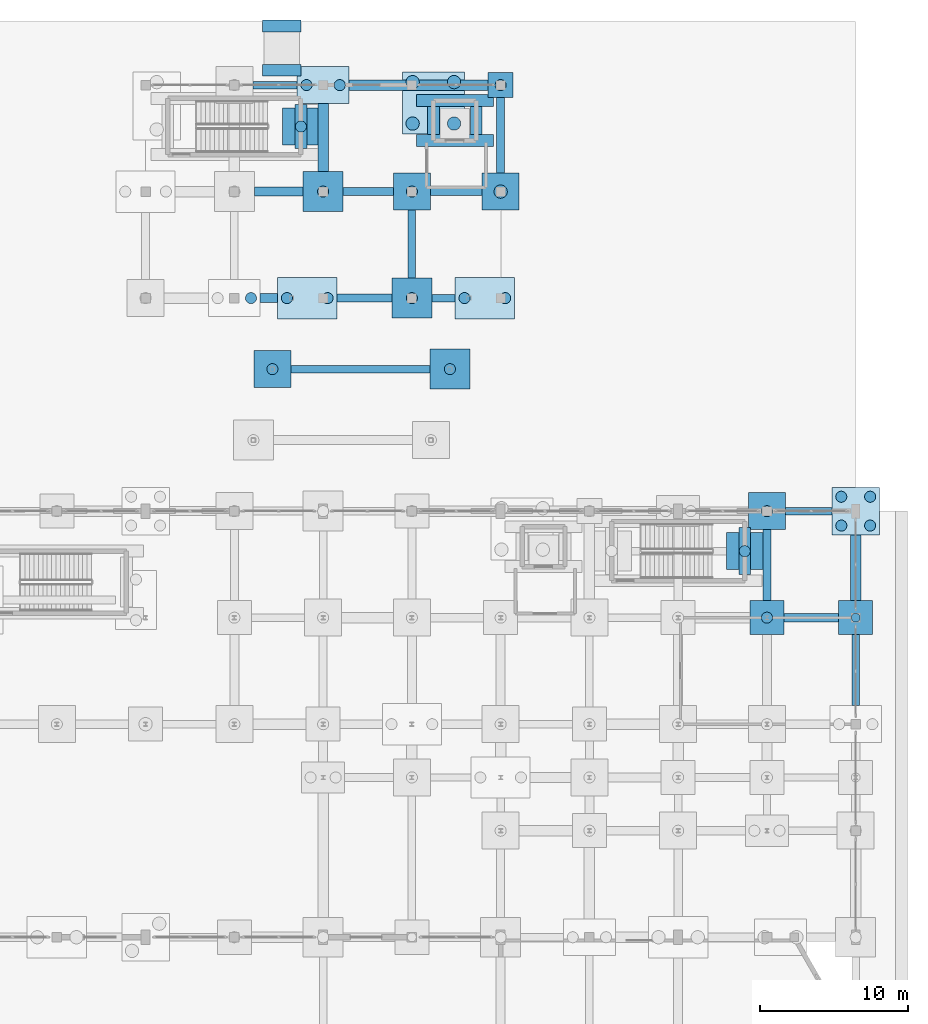
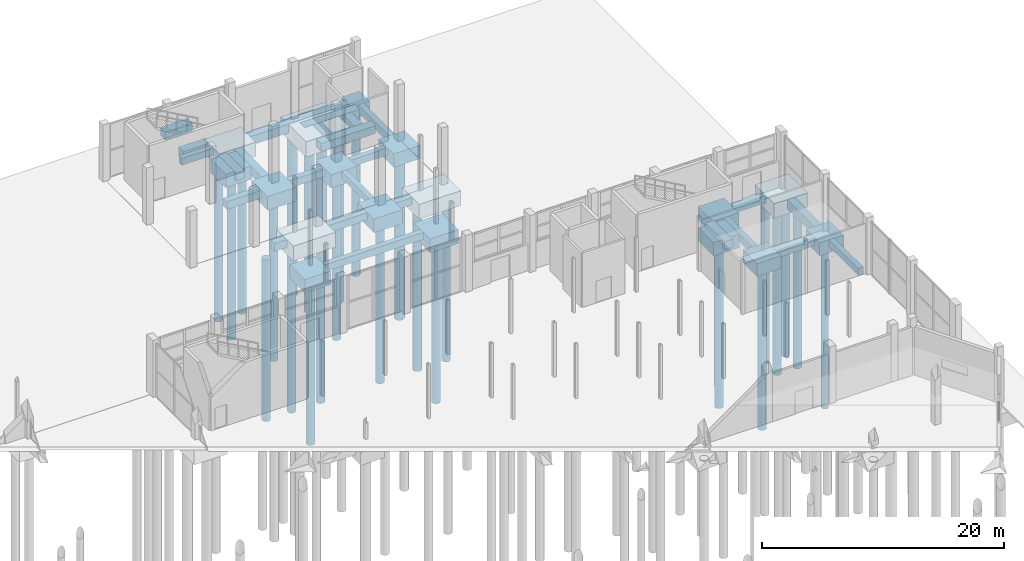
# One storey, part 13 of 103: 42 footings, 27 piles.
"""IFC4 building model written with IfcOpenShell, lengths in metres."""

from ifc_helpers import new_model, si_unit, direction, frame, origin, origin_2d, place, context, subcontext, project, spatial, rectangle, circle, extrude, material, material_profile, profile_set, type_object, element, save


model = new_model("IFC4")

# Units and contexts
model_context = context("Model", 3, precision=1e-05, world=origin(), true_north=direction((0.0, 1.0)))
body_context = subcontext(model_context, "Body", "Model", "MODEL_VIEW")
ifc_project = project(units=[si_unit("LENGTHUNIT", "METRE"), si_unit("AREAUNIT", "SQUARE_METRE"), si_unit("VOLUMEUNIT", "CUBIC_METRE"), si_unit("PLANEANGLEUNIT", "RADIAN"), si_unit("MASSUNIT", "GRAM", prefix="KILO")], contexts=[model_context])

# Site, building, storey
site_placement = place(None, origin())
site = spatial("IfcSite", under=ifc_project, at=site_placement, CompositionType="ELEMENT")
building_placement = place(site_placement, origin())
building = spatial("IfcBuilding", under=site, at=building_placement, Name="Dunvalen Ferry Terminal", CompositionType="ELEMENT")
storey_placement = place(building_placement, origin())
storey = spatial("IfcBuildingStorey", under=building, at=storey_placement, Name="L00", CompositionType="ELEMENT", Elevation=0.0)

# Footings
ifc_material = material(Name="Concrete C40/50", Category="concrete")
ifc_material_profile_1 = material_profile(ifc_material, rectangle(XDim=0.5, YDim=0.699951171875, at=origin_2d()), Name="Concrete C40/50")
ifc_profile_set_1 = profile_set([ifc_material_profile_1], Name="Concrete C40/50")
footing_type_1 = type_object("IfcFootingType", Name="STR-GB-500x700", PredefinedType="FOOTING_BEAM", material=ifc_profile_set_1)
footing_1_placement = place(storey_placement, frame((163.25, 86.39990234375, -0.669921875), z_axis=(1.0, 0.0, 0.0), x_axis=(0.0, 1.0, 0.0)))
element("IfcFooting", 1, at=footing_1_placement, inside=storey, type_object=footing_type_1, Name="L00 Ground Beam X-331", PredefinedType="FOOTING_BEAM", context=body_context, shape_type="SweptSolid", body=[
    extrude(rectangle(XDim=0.5, YDim=0.699951171875, at=origin_2d()), origin(), (0.0, 0.0, 1.0), 3.14990234375),
])
footing_2_placement = place(storey_placement, frame((129.822265625, 96.0, -0.669921875), z_axis=(1.0, 0.0, 0.0), x_axis=(0.0, 1.0, 0.0)))
element("IfcFooting", 2, at=footing_2_placement, inside=storey, type_object=footing_type_1, Name="L00 Ground Beam X-335", PredefinedType="FOOTING_BEAM", context=body_context, shape_type="SweptSolid", body=[
    extrude(rectangle(XDim=0.5, YDim=0.699951171875, at=origin_2d()), origin(), (0.0, 0.0, 1.0), 9.400146484375),
])
footing_3_placement = place(storey_placement, frame((139.35009765625, 100.800048828125, -0.669921875), z_axis=(1.0, 0.0, 0.0), x_axis=(0.0, 1.0, 0.0)))
element("IfcFooting", 3, at=footing_3_placement, inside=storey, type_object=footing_type_1, Name="L00 Ground Beam X-343", PredefinedType="FOOTING_BEAM", context=body_context, shape_type="SweptSolid", body=[
    extrude(rectangle(XDim=0.5, YDim=0.699951171875, at=origin_2d()), origin(), (0.0, 0.0, 1.0), 1.5791015625),
])
footing_4_placement = place(storey_placement, frame((139.25, 108.0, -0.669921875), z_axis=(1.0, 0.0, 0.0), x_axis=(0.0, 1.0, 0.0)))
element("IfcFooting", 4, at=footing_4_placement, inside=storey, type_object=footing_type_1, Name="L00 Ground Beam X-351", PredefinedType="FOOTING_BEAM", context=body_context, shape_type="SweptSolid", body=[
    extrude(rectangle(XDim=0.5, YDim=0.699951171875, at=origin_2d()), origin(), (0.0, 0.0, 1.0), 3.5),
])
footing_5_placement = place(storey_placement, frame((127.25, 115.199951171875, -0.669921875), z_axis=(1.0, 0.0, 0.0), x_axis=(0.0, 1.0, 0.0)))
element("IfcFooting", 5, at=footing_5_placement, inside=storey, type_object=footing_type_1, Name="L00 Ground Beam X-355", PredefinedType="FOOTING_BEAM", context=body_context, shape_type="SweptSolid", body=[
    extrude(rectangle(XDim=0.5, YDim=0.699951171875, at=origin_2d()), origin(), (0.0, 0.0, 1.0), 3.0),
])
footing_6_placement = place(storey_placement, frame((138.0, 102.14990234375, -0.669921875), z_axis=(0.0, 1.0, 0.0), x_axis=(-1.0, 0.0, 0.0)))
element("IfcFooting", 6, at=footing_6_placement, inside=storey, type_object=footing_type_1, Name="L00 Ground Beam Y-499", PredefinedType="FOOTING_BEAM", context=body_context, shape_type="SweptSolid", body=[
    extrude(rectangle(XDim=0.5, YDim=0.699951171875, at=origin_2d()), origin(), (0.0, 0.0, 1.0), 4.60009765625),
])
footing_7_placement = place(storey_placement, frame((168.0, 73.25, -0.669921875), z_axis=(0.0, 1.0, 0.0), x_axis=(-1.0, 0.0, 0.0)))
element("IfcFooting", 7, at=footing_7_placement, inside=storey, type_object=footing_type_1, Name="L00 Ground Beam Y-539", PredefinedType="FOOTING_BEAM", context=body_context, shape_type="SweptSolid", body=[
    extrude(rectangle(XDim=0.5, YDim=0.699951171875, at=origin_2d()), origin(), (0.0, 0.0, 1.0), 4.800048828125),
])
ifc_material_profile_2 = material_profile(ifc_material, rectangle(XDim=0.550048828125, YDim=0.75, at=origin_2d()), Name="Concrete C40/50")
ifc_profile_set_2 = profile_set([ifc_material_profile_2], Name="Concrete C40/50")
footing_type_2 = type_object("IfcFootingType", Name="STR-GB-550x750", PredefinedType="FOOTING_BEAM", material=ifc_profile_set_2)
footing_8_placement = place(storey_placement, frame((132.92919921875, 100.800048828125, -0.695068359375), z_axis=(1.0, 0.0, 0.0), x_axis=(0.0, 1.0, 0.0)))
element("IfcFooting", 8, at=footing_8_placement, inside=storey, type_object=footing_type_2, Name="L00 Ground Beam X-342", PredefinedType="FOOTING_BEAM", context=body_context, shape_type="SweptSolid", body=[
    extrude(rectangle(XDim=0.550048828125, YDim=0.75, at=origin_2d()), origin(), (0.0, 0.0, 1.0), 3.720703125),
])
footing_9_placement = place(storey_placement, frame((133.35009765625, 108.0, -0.695068359375), z_axis=(1.0, 0.0, 0.0), x_axis=(0.0, 1.0, 0.0)))
element("IfcFooting", 9, at=footing_9_placement, inside=storey, type_object=footing_type_2, Name="L00 Ground Beam X-350", PredefinedType="FOOTING_BEAM", context=body_context, shape_type="SweptSolid", body=[
    extrude(rectangle(XDim=0.550048828125, YDim=0.75, at=origin_2d()), origin(), (0.0, 0.0, 1.0), 3.39990234375),
])
footing_10_placement = place(storey_placement, frame((144.0, 109.25, -0.695068359375), z_axis=(0.0, 1.0, 0.0), x_axis=(-1.0, 0.0, 0.0)))
element("IfcFooting", 10, at=footing_10_placement, inside=storey, type_object=footing_type_2, Name="L00 Ground Beam Y-510", PredefinedType="FOOTING_BEAM", context=body_context, shape_type="SweptSolid", body=[
    extrude(rectangle(XDim=0.550048828125, YDim=0.75, at=origin_2d()), origin(), (0.0, 0.0, 1.0), 5.10009765625),
])
footing_11_placement = place(storey_placement, frame((162.0, 80.35009765625, -0.695068359375), z_axis=(0.0, 1.0, 0.0), x_axis=(-1.0, 0.0, 0.0)))
element("IfcFooting", 11, at=footing_11_placement, inside=storey, type_object=footing_type_2, Name="L00 Ground Beam Y-534", PredefinedType="FOOTING_BEAM", context=body_context, shape_type="SweptSolid", body=[
    extrude(rectangle(XDim=0.550048828125, YDim=0.75, at=origin_2d()), origin(), (0.0, 0.0, 1.0), 4.7998046875),
])
ifc_material_profile_3 = material_profile(ifc_material, rectangle(XDim=0.60009765625, YDim=0.800048828125, at=origin_2d()), Name="Concrete C40/50")
ifc_profile_set_3 = profile_set([ifc_material_profile_3], Name="Concrete C40/50")
footing_type_3 = type_object("IfcFootingType", Name="STR-GB-600x800", PredefinedType="FOOTING_BEAM", material=ifc_profile_set_3)
footing_12_placement = place(storey_placement, frame((163.14990234375, 79.199951171875, -0.719970703125), z_axis=(1.0, 0.0, 0.0), x_axis=(0.0, 1.0, 0.0)))
element("IfcFooting", 12, at=footing_12_placement, inside=storey, type_object=footing_type_3, Name="L00 Ground Beam X-309", PredefinedType="FOOTING_BEAM", context=body_context, shape_type="SweptSolid", body=[
    extrude(rectangle(XDim=0.60009765625, YDim=0.800048828125, at=origin_2d()), origin(), (0.0, 0.0, 1.0), 3.7001953125),
])
footing_13_placement = place(storey_placement, frame((127.75, 100.800048828125, -0.719970703125), z_axis=(1.0, 0.0, 0.0), x_axis=(0.0, 1.0, 0.0)))
element("IfcFooting", 13, at=footing_13_placement, inside=storey, type_object=footing_type_3, Name="L00 Ground Beam X-341", PredefinedType="FOOTING_BEAM", context=body_context, shape_type="SweptSolid", body=[
    extrude(rectangle(XDim=0.60009765625, YDim=0.800048828125, at=origin_2d()), origin(), (0.0, 0.0, 1.0), 1.17919921875),
])
footing_14_placement = place(storey_placement, frame((127.35009765625, 108.0, -0.719970703125), z_axis=(1.0, 0.0, 0.0), x_axis=(0.0, 1.0, 0.0)))
element("IfcFooting", 14, at=footing_14_placement, inside=storey, type_object=footing_type_3, Name="L00 Ground Beam X-349", PredefinedType="FOOTING_BEAM", context=body_context, shape_type="SweptSolid", body=[
    extrude(rectangle(XDim=0.60009765625, YDim=0.800048828125, at=origin_2d()), origin(), (0.0, 0.0, 1.0), 3.2998046875),
])
ifc_material_profile_4 = material_profile(ifc_material, rectangle(XDim=0.699951171875, YDim=0.89990234375, at=origin_2d()), Name="Concrete C40/50")
ifc_profile_set_4 = profile_set([ifc_material_profile_4], Name="Concrete C40/50")
footing_type_4 = type_object("IfcFootingType", Name="STR-GB-700x900", PredefinedType="FOOTING_BEAM", material=ifc_profile_set_4)
footing_15_placement = place(storey_placement, frame((133.75, 115.199951171875, -0.77001953125), z_axis=(1.0, 0.0, 0.0), x_axis=(0.0, 1.0, 0.0)))
element("IfcFooting", 15, at=footing_15_placement, inside=storey, type_object=footing_type_4, Name="L00 Ground Beam X-356", PredefinedType="FOOTING_BEAM", context=body_context, shape_type="SweptSolid", body=[
    extrude(rectangle(XDim=0.699951171875, YDim=0.89990234375, at=origin_2d()), origin(), (0.0, 0.0, 1.0), 9.39990234375),
])
footing_16_placement = place(storey_placement, frame((132.0, 109.35009765625, -0.77001953125), z_axis=(0.0, 1.0, 0.0), x_axis=(-1.0, 0.0, 0.0)))
element("IfcFooting", 16, at=footing_16_placement, inside=storey, type_object=footing_type_4, Name="L00 Ground Beam Y-488", PredefinedType="FOOTING_BEAM", context=body_context, shape_type="SweptSolid", body=[
    extrude(rectangle(XDim=0.699951171875, YDim=0.89990234375, at=origin_2d()), origin(), (0.0, 0.0, 1.0), 4.599853515625),
])
footing_17_placement = place(storey_placement, frame((168.0, 80.35009765625, -0.77001953125), z_axis=(0.0, 1.0, 0.0), x_axis=(-1.0, 0.0, 0.0)))
element("IfcFooting", 17, at=footing_17_placement, inside=storey, type_object=footing_type_4, Name="L00 Ground Beam Y-540", PredefinedType="FOOTING_BEAM", context=body_context, shape_type="SweptSolid", body=[
    extrude(rectangle(XDim=0.699951171875, YDim=0.89990234375, at=origin_2d()), origin(), (0.0, 0.0, 1.0), 4.449951171875),
])
footing_type_5 = type_object("IfcFootingType", Name="STR-PC-01", PredefinedType="PILE_CAP", material=ifc_material)
footing_18_placement = place(storey_placement, frame((144.0, 115.199951171875, -1.52001953125), z_axis=(0.0, 0.0, 1.0), x_axis=(1.0, 0.0, 0.0)))
element("IfcFooting", 18, at=footing_18_placement, inside=storey, type_object=footing_type_5, Name="L00 Pile Cap 237", PredefinedType="PILE_CAP", context=body_context, shape_type="SweptSolid", body=[
    extrude(rectangle(XDim=1.699951171875, YDim=1.699951171875, at=origin_2d()), origin(), (0.0, 0.0, 1.0), 1.199951171875),
])
footing_type_6 = type_object("IfcFootingType", Name="STR-PC-04", PredefinedType="PILE_CAP", material=ifc_material)
for number, where, z_axis, x_axis, name in (
    (19, (162.0, 79.199951171875, -1.6201171875), (0.0, 0.0, 1.0), (1.0, 0.0, 0.0), "L00 Pile Cap 279"),
    (20, (168.0, 79.199951171875, -1.6201171875), (0.0, 0.0, 1.0), (1.0, 0.0, 0.0), "L00 Pile Cap 287"),
):
    element("IfcFooting", number, at=place(storey_placement, frame(where, z_axis=z_axis, x_axis=x_axis)), inside=storey, type_object=footing_type_6, Name=name, PredefinedType="PILE_CAP", context=body_context, shape_type="SweptSolid", body=[
        extrude(rectangle(XDim=2.300048828125, YDim=2.300048828125, at=origin_2d()), origin(), (0.0, 0.0, 1.0), 1.300048828125),
    ])
footing_type_7 = type_object("IfcFootingType", Name="STR-PC-05", PredefinedType="PILE_CAP", material=ifc_material)
for number, where, z_axis, x_axis, name in (
    (21, (128.572265625, 96.0, -1.670166015625), (0.0, 0.0, 1.0), (1.0, 0.0, 0.0), "L00 Pile Cap 187"),
    (22, (130.5, 112.39990234375, -1.670166015625), (0.0, 0.0, 1.0), (1.0, 0.0, 0.0), "L00 Pile Cap 189"),
    (23, (138.0, 108.0, -1.670166015625), (0.0, 0.0, 1.0), (1.0, 0.0, 0.0), "L00 Pile Cap 217"),
    (24, (144.0, 108.0, -1.670166015625), (0.0, 0.0, 1.0), (1.0, 0.0, 0.0), "L00 Pile Cap 236"),
    (25, (160.5, 83.699951171875, -1.670166015625), (0.0, 0.0, 1.0), (1.0, 0.0, 0.0), "L00 Pile Cap 269"),
    (26, (162.0, 86.39990234375, -1.670166015625), (0.0, 0.0, 1.0), (1.0, 0.0, 0.0), "L00 Pile Cap 280"),
):
    element("IfcFooting", number, at=place(storey_placement, frame(where, z_axis=z_axis, x_axis=x_axis)), inside=storey, type_object=footing_type_7, Name=name, PredefinedType="PILE_CAP", context=body_context, shape_type="SweptSolid", body=[
        extrude(rectangle(XDim=2.5, YDim=2.5, at=origin_2d()), origin(), (0.0, 0.0, 1.0), 1.35009765625),
    ])
footing_type_8 = type_object("IfcFootingType", Name="STR-PC-06", PredefinedType="PILE_CAP", material=ifc_material)
for number, where, z_axis, x_axis, name in (
    (27, (132.0, 108.0, -1.719970703125), (0.0, 0.0, 1.0), (1.0, 0.0, 0.0), "L00 Pile Cap 202"),
    (28, (138.0, 100.800048828125, -1.719970703125), (0.0, 0.0, 1.0), (1.0, 0.0, 0.0), "L00 Pile Cap 216"),
    (29, (140.572265625, 96.0, -1.719970703125), (0.0, 0.0, 1.0), (1.0, 0.0, 0.0), "L00 Pile Cap 220"),
):
    element("IfcFooting", number, at=place(storey_placement, frame(where, z_axis=z_axis, x_axis=x_axis)), inside=storey, type_object=footing_type_8, Name=name, PredefinedType="PILE_CAP", context=body_context, shape_type="SweptSolid", body=[
        extrude(rectangle(XDim=2.699951171875, YDim=2.699951171875, at=origin_2d()), origin(), (0.0, 0.0, 1.0), 1.39990234375),
    ])
footing_type_9 = type_object("IfcFootingType", Name="STR-PC-09", PredefinedType="PILE_CAP", material=ifc_material)
footing_19_placement = place(storey_placement, frame((168.0, 86.39990234375, -1.77001953125), z_axis=(0.0, 0.0, 1.0), x_axis=(1.0, 0.0, 0.0)))
element("IfcFooting", 30, at=footing_19_placement, inside=storey, type_object=footing_type_9, Name="L00 Pile Cap 288", PredefinedType="PILE_CAP", context=body_context, shape_type="SweptSolid", body=[
    extrude(rectangle(XDim=3.199951171875, YDim=3.199951171875, at=origin_2d()), origin(), (0.0, 0.0, 1.0), 1.449951171875),
])
footing_type_10 = type_object("IfcFootingType", Name="STR-PC-10", PredefinedType="PILE_CAP", material=ifc_material)
footing_20_placement = place(storey_placement, frame((132.0, 115.199951171875, -1.77001953125), z_axis=(0.0, 0.0, 1.0), x_axis=(1.0, 0.0, 0.0)))
element("IfcFooting", 31, at=footing_20_placement, inside=storey, type_object=footing_type_10, Name="L00 Pile Cap 203", PredefinedType="PILE_CAP", context=body_context, shape_type="SweptSolid", body=[
    extrude(rectangle(XDim=3.5, YDim=2.5, at=origin_2d()), origin(), (0.0, 0.0, 1.0), 1.449951171875),
])
footing_type_11 = type_object("IfcFootingType", Name="STR-PC-12", PredefinedType="PILE_CAP", material=ifc_material)
for number, where, z_axis, x_axis, name in (
    (32, (130.92919921875, 100.800048828125, -1.820068359375), (0.0, 0.0, 1.0), (1.0, 0.0, 0.0), "L00 Pile Cap 188"),
    (33, (142.92919921875, 100.800048828125, -1.820068359375), (0.0, 0.0, 1.0), (1.0, 0.0, 0.0), "L00 Pile Cap 221"),
):
    element("IfcFooting", number, at=place(storey_placement, frame(where, z_axis=z_axis, x_axis=x_axis)), inside=storey, type_object=footing_type_11, Name=name, PredefinedType="PILE_CAP", context=body_context, shape_type="SweptSolid", body=[
        extrude(rectangle(XDim=4.0, YDim=2.800048828125, at=origin_2d()), origin(), (0.0, 0.0, 1.0), 1.5),
    ])
footing_type_12 = type_object("IfcFootingType", Name="STR-PC-13", PredefinedType="PILE_CAP", material=ifc_material)
footing_21_placement = place(storey_placement, frame((139.449951171875, 114.0, -1.8701171875), z_axis=(0.0, 0.0, 1.0), x_axis=(1.0, 0.0, 0.0)))
element("IfcFooting", 34, at=footing_21_placement, inside=storey, type_object=footing_type_12, Name="L00 Pile Cap 218", PredefinedType="PILE_CAP", context=body_context, shape_type="SweptSolid", body=[
    extrude(rectangle(XDim=4.199951171875, YDim=4.199951171875, at=origin_2d()), origin(), (0.0, 0.0, 1.0), 1.550048828125),
])

# Piles
ifc_material_profile_5 = material_profile(ifc_material, circle(Radius=0.300048828125, at=origin_2d()), Name="Concrete C40/50")
ifc_profile_set_5 = profile_set([ifc_material_profile_5], Name="Concrete C40/50")
pile_type_1 = type_object("IfcPileType", Name="STR-PILE-P600", PredefinedType="BORED", material=ifc_profile_set_5)
pile_1_placement = place(storey_placement, frame((168.0, 79.199951171875, -1.52001953125), z_axis=(0.0, 0.0, -1.0), x_axis=(1.0, 0.0, 0.0)))
element("IfcPile", 35, at=pile_1_placement, inside=storey, type_object=pile_type_1, Name="L00 Bored Pile 287.1", PredefinedType="BORED", context=body_context, shape_type="SweptSolid", body=[
    extrude(circle(Radius=0.300048828125, at=origin_2d()), origin(), (0.0, 0.0, 1.0), 16.47998046875),
])
ifc_material_profile_6 = material_profile(ifc_material, circle(Radius=0.375, at=origin_2d()), Name="Concrete C40/50")
ifc_profile_set_6 = profile_set([ifc_material_profile_6], Name="Concrete C40/50")
pile_type_2 = type_object("IfcPileType", Name="STR-PILE-P750", PredefinedType="BORED", material=ifc_profile_set_6)
pile_2_placement = place(storey_placement, frame((127.125, 100.800048828125, -1.669921875), z_axis=(0.0, 0.0, -1.0), x_axis=(1.0, 0.0, 0.0)))
element("IfcPile", 36, at=pile_2_placement, inside=storey, type_object=pile_type_2, Name="L00 Bored Pile 183.2", PredefinedType="BORED", context=body_context, shape_type="SweptSolid", body=[
    extrude(circle(Radius=0.375, at=origin_2d()), origin(), (0.0, 0.0, 1.0), 16.330078125),
])
pile_3_placement = place(storey_placement, frame((128.572265625, 96.0, -1.570068359375), z_axis=(0.0, 0.0, -1.0), x_axis=(1.0, 0.0, 0.0)))
element("IfcPile", 37, at=pile_3_placement, inside=storey, type_object=pile_type_2, Name="L00 Bored Pile 187.1", PredefinedType="BORED", context=body_context, shape_type="SweptSolid", body=[
    extrude(circle(Radius=0.375, at=origin_2d()), origin(), (0.0, 0.0, 1.0), 16.429931640625),
])
for number, where, z_axis, x_axis, name in (
    (38, (129.55419921875, 100.800048828125, -1.719970703125), (0.0, 0.0, -1.0), (1.0, 0.0, 0.0), "L00 Bored Pile 188.1"),
    (39, (132.30419921875, 100.800048828125, -1.719970703125), (0.0, 0.0, -1.0), (1.0, 0.0, 0.0), "L00 Bored Pile 188.2"),
):
    element("IfcPile", number, at=place(storey_placement, frame(where, z_axis=z_axis, x_axis=x_axis)), inside=storey, type_object=pile_type_2, Name=name, PredefinedType="BORED", context=body_context, shape_type="SweptSolid", body=[
        extrude(circle(Radius=0.375, at=origin_2d()), origin(), (0.0, 0.0, 1.0), 16.280029296875),
    ])
pile_4_placement = place(storey_placement, frame((130.5, 112.39990234375, -1.570068359375), z_axis=(0.0, 0.0, -1.0), x_axis=(1.0, 0.0, 0.0)))
element("IfcPile", 40, at=pile_4_placement, inside=storey, type_object=pile_type_2, Name="L00 Bored Pile 189.1", PredefinedType="BORED", context=body_context, shape_type="SweptSolid", body=[
    extrude(circle(Radius=0.375, at=origin_2d()), origin(), (0.0, 0.0, 1.0), 16.429931640625),
])
pile_5_placement = place(storey_placement, frame((132.0, 108.0, -1.6201171875), z_axis=(0.0, 0.0, -1.0), x_axis=(1.0, 0.0, 0.0)))
element("IfcPile", 41, at=pile_5_placement, inside=storey, type_object=pile_type_2, Name="L00 Bored Pile 202.1", PredefinedType="BORED", context=body_context, shape_type="SweptSolid", body=[
    extrude(circle(Radius=0.375, at=origin_2d()), origin(), (0.0, 0.0, 1.0), 16.3798828125),
])
for number, where, z_axis, x_axis, name in (
    (42, (130.875, 115.199951171875, -1.669921875), (0.0, 0.0, -1.0), (1.0, 0.0, 0.0), "L00 Bored Pile 203.1"),
    (43, (133.125, 115.199951171875, -1.669921875), (0.0, 0.0, -1.0), (1.0, 0.0, 0.0), "L00 Bored Pile 203.2"),
):
    element("IfcPile", number, at=place(storey_placement, frame(where, z_axis=z_axis, x_axis=x_axis)), inside=storey, type_object=pile_type_2, Name=name, PredefinedType="BORED", context=body_context, shape_type="SweptSolid", body=[
        extrude(circle(Radius=0.375, at=origin_2d()), origin(), (0.0, 0.0, 1.0), 16.330078125),
    ])
pile_6_placement = place(storey_placement, frame((138.0, 100.800048828125, -1.6201171875), z_axis=(0.0, 0.0, -1.0), x_axis=(1.0, 0.0, 0.0)))
element("IfcPile", 44, at=pile_6_placement, inside=storey, type_object=pile_type_2, Name="L00 Bored Pile 216.1", PredefinedType="BORED", context=body_context, shape_type="SweptSolid", body=[
    extrude(circle(Radius=0.375, at=origin_2d()), origin(), (0.0, 0.0, 1.0), 16.3798828125),
])
pile_7_placement = place(storey_placement, frame((138.0, 108.0, -1.570068359375), z_axis=(0.0, 0.0, -1.0), x_axis=(1.0, 0.0, 0.0)))
element("IfcPile", 45, at=pile_7_placement, inside=storey, type_object=pile_type_2, Name="L00 Bored Pile 217.1", PredefinedType="BORED", context=body_context, shape_type="SweptSolid", body=[
    extrude(circle(Radius=0.375, at=origin_2d()), origin(), (0.0, 0.0, 1.0), 16.429931640625),
])
pile_8_placement = place(storey_placement, frame((140.572265625, 96.0, -1.6201171875), z_axis=(0.0, 0.0, -1.0), x_axis=(1.0, 0.0, 0.0)))
element("IfcPile", 46, at=pile_8_placement, inside=storey, type_object=pile_type_2, Name="L00 Bored Pile 220.1", PredefinedType="BORED", context=body_context, shape_type="SweptSolid", body=[
    extrude(circle(Radius=0.375, at=origin_2d()), origin(), (0.0, 0.0, 1.0), 16.3798828125),
])
for number, where, z_axis, x_axis, name in (
    (47, (141.55419921875, 100.800048828125, -1.719970703125), (0.0, 0.0, -1.0), (1.0, 0.0, 0.0), "L00 Bored Pile 221.1"),
    (48, (144.30419921875, 100.800048828125, -1.719970703125), (0.0, 0.0, -1.0), (1.0, 0.0, 0.0), "L00 Bored Pile 221.2"),
):
    element("IfcPile", number, at=place(storey_placement, frame(where, z_axis=z_axis, x_axis=x_axis)), inside=storey, type_object=pile_type_2, Name=name, PredefinedType="BORED", context=body_context, shape_type="SweptSolid", body=[
        extrude(circle(Radius=0.375, at=origin_2d()), origin(), (0.0, 0.0, 1.0), 16.280029296875),
    ])
pile_9_placement = place(storey_placement, frame((144.0, 115.199951171875, -1.419921875), z_axis=(0.0, 0.0, -1.0), x_axis=(1.0, 0.0, 0.0)))
element("IfcPile", 49, at=pile_9_placement, inside=storey, type_object=pile_type_2, Name="L00 Bored Pile 237.1", PredefinedType="BORED", context=body_context, shape_type="SweptSolid", body=[
    extrude(circle(Radius=0.375, at=origin_2d()), origin(), (0.0, 0.0, 1.0), 16.580078125),
])
pile_10_placement = place(storey_placement, frame((160.5, 83.699951171875, -1.570068359375), z_axis=(0.0, 0.0, -1.0), x_axis=(1.0, 0.0, 0.0)))
element("IfcPile", 50, at=pile_10_placement, inside=storey, type_object=pile_type_2, Name="L00 Bored Pile 269.1", PredefinedType="BORED", context=body_context, shape_type="SweptSolid", body=[
    extrude(circle(Radius=0.375, at=origin_2d()), origin(), (0.0, 0.0, 1.0), 16.429931640625),
])
pile_11_placement = place(storey_placement, frame((162.0, 79.199951171875, -1.52001953125), z_axis=(0.0, 0.0, -1.0), x_axis=(1.0, 0.0, 0.0)))
element("IfcPile", 51, at=pile_11_placement, inside=storey, type_object=pile_type_2, Name="L00 Bored Pile 279.1", PredefinedType="BORED", context=body_context, shape_type="SweptSolid", body=[
    extrude(circle(Radius=0.375, at=origin_2d()), origin(), (0.0, 0.0, 1.0), 16.47998046875),
])
pile_12_placement = place(storey_placement, frame((162.0, 86.39990234375, -1.570068359375), z_axis=(0.0, 0.0, -1.0), x_axis=(1.0, 0.0, 0.0)))
element("IfcPile", 52, at=pile_12_placement, inside=storey, type_object=pile_type_2, Name="L00 Bored Pile 280.1", PredefinedType="BORED", context=body_context, shape_type="SweptSolid", body=[
    extrude(circle(Radius=0.375, at=origin_2d()), origin(), (0.0, 0.0, 1.0), 16.429931640625),
])
for number, where, z_axis, x_axis, name in (
    (53, (167.02490234375, 85.425048828125, -1.669921875), (0.0, 0.0, -1.0), (1.0, 0.0, 0.0), "L00 Bored Pile 288.1"),
    (54, (168.97509765625, 85.425048828125, -1.669921875), (0.0, 0.0, -1.0), (1.0, 0.0, 0.0), "L00 Bored Pile 288.2"),
    (55, (167.02490234375, 87.375, -1.669921875), (0.0, 0.0, -1.0), (1.0, 0.0, 0.0), "L00 Bored Pile 288.3"),
    (56, (168.97509765625, 87.375, -1.669921875), (0.0, 0.0, -1.0), (1.0, 0.0, 0.0), "L00 Bored Pile 288.4"),
):
    element("IfcPile", number, at=place(storey_placement, frame(where, z_axis=z_axis, x_axis=x_axis)), inside=storey, type_object=pile_type_2, Name=name, PredefinedType="BORED", context=body_context, shape_type="SweptSolid", body=[
        extrude(circle(Radius=0.375, at=origin_2d()), origin(), (0.0, 0.0, 1.0), 16.330078125),
    ])
ifc_material_profile_7 = material_profile(ifc_material, circle(Radius=0.449951171875, at=origin_2d()), Name="Concrete C40/50")
ifc_profile_set_7 = profile_set([ifc_material_profile_7], Name="Concrete C40/50")
pile_type_3 = type_object("IfcPileType", Name="STR-PILE-P900", PredefinedType="BORED", material=ifc_profile_set_7)
for number, where, z_axis, x_axis, name in (
    (57, (138.050048828125, 112.60009765625, -1.77001953125), (0.0, 0.0, -1.0), (1.0, 0.0, 0.0), "L00 Bored Pile 218.1"),
    (58, (140.85009765625, 112.60009765625, -1.77001953125), (0.0, 0.0, -1.0), (1.0, 0.0, 0.0), "L00 Bored Pile 218.2"),
    (59, (138.050048828125, 115.39990234375, -1.77001953125), (0.0, 0.0, -1.0), (1.0, 0.0, 0.0), "L00 Bored Pile 218.3"),
    (60, (140.85009765625, 115.39990234375, -1.77001953125), (0.0, 0.0, -1.0), (1.0, 0.0, 0.0), "L00 Bored Pile 218.4"),
):
    element("IfcPile", number, at=place(storey_placement, frame(where, z_axis=z_axis, x_axis=x_axis)), inside=storey, type_object=pile_type_3, Name=name, PredefinedType="BORED", context=body_context, shape_type="SweptSolid", body=[
        extrude(circle(Radius=0.449951171875, at=origin_2d()), origin(), (0.0, 0.0, 1.0), 16.22998046875),
    ])
pile_13_placement = place(storey_placement, frame((144.0, 108.0, -1.570068359375), z_axis=(0.0, 0.0, -1.0), x_axis=(1.0, 0.0, 0.0)))
element("IfcPile", 61, at=pile_13_placement, inside=storey, type_object=pile_type_3, Name="L00 Bored Pile 236.1", PredefinedType="BORED", context=body_context, shape_type="SweptSolid", body=[
    extrude(circle(Radius=0.449951171875, at=origin_2d()), origin(), (0.0, 0.0, 1.0), 16.429931640625),
])

# Footings
ifc_material_profile_8 = material_profile(ifc_material, rectangle(XDim=0.800048828125, YDim=0.800048828125, at=origin_2d()), Name="Concrete C40/50")
ifc_profile_set_8 = profile_set([ifc_material_profile_8], Name="Concrete C40/50")
footing_type_13 = type_object("IfcFootingType", Name="STR-SF-800x800", PredefinedType="STRIP_FOOTING", material=ifc_profile_set_8)
footing_22_placement = place(storey_placement, frame((160.5, 82.110107421875, -0.719970703125), z_axis=(0.0, 1.0, 0.0), x_axis=(-1.0, 0.0, 0.0)))
element("IfcFooting", 62, at=footing_22_placement, inside=storey, type_object=footing_type_13, Name="L00 ST9 Core East Strip Footing", PredefinedType="STRIP_FOOTING", context=body_context, shape_type="SweptSolid", body=[
    extrude(rectangle(XDim=0.800048828125, YDim=0.800048828125, at=origin_2d()), origin(), (0.0, 0.0, 1.0), 3.179931640625),
])
footing_23_placement = place(storey_placement, frame((130.5, 110.909912109375, -0.719970703125), z_axis=(0.0, 1.0, 0.0), x_axis=(-1.0, 0.0, 0.0)))
element("IfcFooting", 63, at=footing_23_placement, inside=storey, type_object=footing_type_13, Name="L00 ST12 Core East Strip Footing", PredefinedType="STRIP_FOOTING", context=body_context, shape_type="SweptSolid", body=[
    extrude(rectangle(XDim=0.800048828125, YDim=0.800048828125, at=origin_2d()), origin(), (0.0, 0.0, 1.0), 2.97998046875),
])
for number, where, z_axis, x_axis, name in (
    (64, (139.449951171875, 111.860107421875, -0.719970703125), (0.0, 1.0, 0.0), (-1.0, 0.0, 0.0), "L00 LP-04 Shaft W Strip Footing"),
    (65, (142.35009765625, 111.860107421875, -0.719970703125), (0.0, 1.0, 0.0), (-1.0, 0.0, 0.0), "L00 LP-04 Shaft E Strip Footing"),
):
    element("IfcFooting", number, at=place(storey_placement, frame(where, z_axis=z_axis, x_axis=x_axis)), inside=storey, type_object=footing_type_13, Name=name, PredefinedType="STRIP_FOOTING", context=body_context, shape_type="SweptSolid", body=[
        extrude(rectangle(XDim=0.800048828125, YDim=0.800048828125, at=origin_2d()), origin(), (0.0, 0.0, 1.0), 1.8798828125),
    ])
for number, where, z_axis, x_axis, name in (
    (66, (138.300048828125, 111.449951171875, -0.719970703125), (1.0, 0.0, 0.0), (0.0, 1.0, 0.0), "L00 LP-04 Shaft S Strip Footing"),
    (67, (138.300048828125, 114.14990234375, -0.719970703125), (1.0, 0.0, 0.0), (0.0, 1.0, 0.0), "L00 LP-04 Shaft N Strip Footing"),
):
    element("IfcFooting", number, at=place(storey_placement, frame(where, z_axis=z_axis, x_axis=x_axis)), inside=storey, type_object=footing_type_13, Name=name, PredefinedType="STRIP_FOOTING", context=body_context, shape_type="SweptSolid", body=[
        extrude(rectangle(XDim=0.800048828125, YDim=0.800048828125, at=origin_2d()), origin(), (0.0, 0.0, 1.0), 5.199951171875),
    ])
for number, where, z_axis, x_axis, name in (
    (68, (127.89990234375, 116.199951171875, -0.77001953125), (1.0, 0.0, 0.0), (0.0, 1.0, 0.0), "Accessible Ramp AR-05 Lower Strip Footing"),
    (69, (127.89990234375, 119.199951171875, -0.6201171875), (1.0, 0.0, 0.0), (0.0, 1.0, 0.0), "Accessible Ramp AR-05 Upper Strip Footing"),
):
    element("IfcFooting", number, at=place(storey_placement, frame(where, z_axis=z_axis, x_axis=x_axis)), inside=storey, type_object=footing_type_13, Name=name, PredefinedType="STRIP_FOOTING", context=body_context, shape_type="SweptSolid", body=[
        extrude(rectangle(XDim=0.800048828125, YDim=0.800048828125, at=origin_2d()), origin(), (0.0, 0.0, 1.0), 2.60009765625),
    ])

save(model, "model.ifc")
